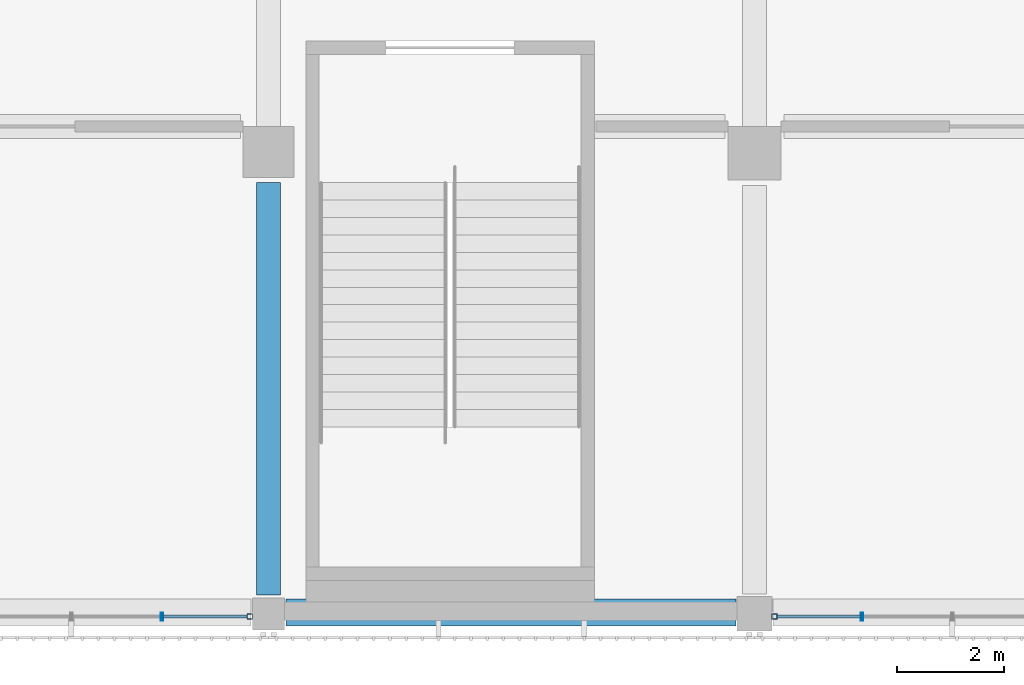
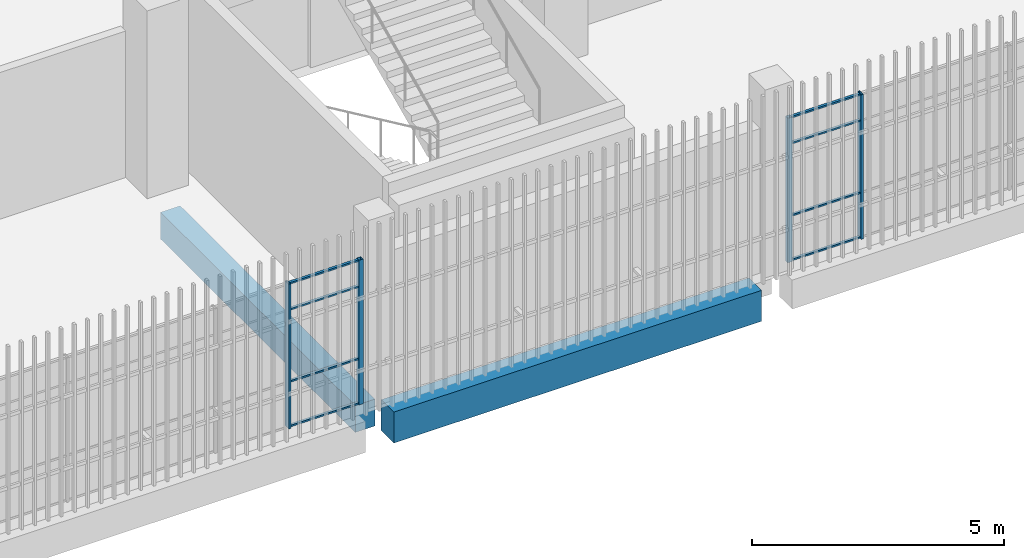
# One storey, part 19 of 126: 12 members, 2 beams, 2 elements without a shape of their own.
"""IFC4 building model written with IfcOpenShell, lengths in metres."""

from ifc_helpers import new_model, si_unit, direction, frame, origin, origin_2d, place, context, subcontext, project, spatial, rectangle, hollow_rectangle, extrude, material, layer, layer_set, material_profile, profile_set, type_object, element, aggregate, save


model = new_model("IFC4")

# Units and contexts
model_context = context("Model", 3, precision=1e-05, world=origin(), true_north=direction((0.0, 1.0)))
body_context = subcontext(model_context, "Body", "Model", "MODEL_VIEW")
ifc_project = project(units=[si_unit("LENGTHUNIT", "METRE"), si_unit("AREAUNIT", "SQUARE_METRE"), si_unit("VOLUMEUNIT", "CUBIC_METRE"), si_unit("PLANEANGLEUNIT", "RADIAN"), si_unit("MASSUNIT", "GRAM", prefix="KILO")], contexts=[model_context])

# Site, building, storey
site_placement = place(None, origin())
site = spatial("IfcSite", under=ifc_project, at=site_placement, CompositionType="ELEMENT")
building_placement = place(site_placement, origin())
building = spatial("IfcBuilding", under=site, at=building_placement, Name="Shirokan Park Arena", CompositionType="ELEMENT")
storey_placement = place(building_placement, frame((0.0, 0.0, 6.3701171875)))
storey = spatial("IfcBuildingStorey", under=building, at=storey_placement, Name="L01", CompositionType="ELEMENT", Elevation=6.3701171875)

# Curtain wall, member
ifc_material_1 = material(Name="Steel and glass curtain wall", Category="steel")
ifc_layer = layer(ifc_material_1, 0.14990234375)
ifc_layer_set = layer_set([ifc_layer], Name="Steel and glass curtain wall 150 mm")
curtain_wall_type = type_object("IfcCurtainWallType", Name="Curtain wall exposed bay 150", PredefinedType="NOTDEFINED", material=ifc_layer_set)
curtain_wall_1_placement = place(storey_placement, origin())
curtain_wall_1 = element("IfcCurtainWall", 1, at=curtain_wall_1_placement, inside=storey, type_object=curtain_wall_type, Name="Curtain wall south bay 9 L01", PredefinedType="NOTDEFINED")
ifc_material_2 = material(Name="Steel S355", Category="steel")
ifc_material_profile_1 = material_profile(ifc_material_2, hollow_rectangle(XDim=0.10009765625, YDim=0.10009765625, WallThickness=0.006103515625, at=origin_2d()), Name="RHS 100x100x6")
ifc_profile_set_1 = profile_set([ifc_material_profile_1], Name="Steel S355")
member_type_1 = type_object("IfcMemberType", Name="Mullion RHS 100x100x6", PredefinedType="MULLION", material=ifc_profile_set_1)
member_1_placement = place(storey_placement, frame((81.550048828125, -0.074951171875, 0.0), z_axis=(0.0, 0.0, 1.0), x_axis=(0.0, 1.0, 0.0)))
member_1 = element("IfcMember", 2, at=member_1_placement, type_object=member_type_1, Name="CW1 mullion 6", PredefinedType="MULLION", context=body_context, shape_type="SweptSolid", body=[
    extrude(hollow_rectangle(XDim=0.10009765625, YDim=0.10009765625, WallThickness=0.006103515625, at=origin_2d()), origin(), (0.0, 0.0, 1.0), 3.5),
])

curtain_wall_2_placement = place(storey_placement, origin())
curtain_wall_2 = element("IfcCurtainWall", 3, at=curtain_wall_2_placement, inside=storey, type_object=curtain_wall_type, Name="Curtain wall south bay 11 L01", PredefinedType="NOTDEFINED")
member_2_placement = place(storey_placement, frame((91.375, -0.074951171875, 0.0), z_axis=(0.0, 0.0, 1.0), x_axis=(0.0, 1.0, 0.0)))
member_2 = element("IfcMember", 4, at=member_2_placement, type_object=member_type_1, Name="CW1 mullion 1", PredefinedType="MULLION", context=body_context, shape_type="SweptSolid", body=[
    extrude(hollow_rectangle(XDim=0.10009765625, YDim=0.10009765625, WallThickness=0.006103515625, at=origin_2d()), origin(), (0.0, 0.0, 1.0), 3.5),
])

# Member
ifc_material_profile_2 = material_profile(ifc_material_2, hollow_rectangle(XDim=0.14990234375, YDim=0.050048828125, WallThickness=0.006103515625, at=origin_2d()), Name="RHS 150x50x6")
ifc_profile_set_2 = profile_set([ifc_material_profile_2], Name="Steel S355")
member_type_2 = type_object("IfcMemberType", Name="Mullion RHS 150x50x6", PredefinedType="MULLION", material=ifc_profile_set_2)
member_3_placement = place(storey_placement, frame((79.905029296875, -0.074951171875, 0.0), z_axis=(0.0, 0.0, 1.0), x_axis=(0.0, 1.0, 0.0)))
member_3 = element("IfcMember", 5, at=member_3_placement, type_object=member_type_2, Name="CW1 mullion 5", PredefinedType="MULLION", context=body_context, shape_type="SweptSolid", body=[
    extrude(hollow_rectangle(XDim=0.14990234375, YDim=0.050048828125, WallThickness=0.006103515625, at=origin_2d()), origin(), (0.0, 0.0, 1.0), 3.5),
])

member_4_placement = place(storey_placement, frame((93.014892578125, -0.074951171875, 0.0), z_axis=(0.0, 0.0, 1.0), x_axis=(0.0, 1.0, 0.0)))
member_4 = element("IfcMember", 6, at=member_4_placement, type_object=member_type_2, Name="CW1 mullion 2", PredefinedType="MULLION", context=body_context, shape_type="SweptSolid", body=[
    extrude(hollow_rectangle(XDim=0.14990234375, YDim=0.050048828125, WallThickness=0.006103515625, at=origin_2d()), origin(), (0.0, 0.0, 1.0), 3.5),
])

# Beams
ifc_material_3 = material(Name="Concrete C35", Category="concrete")
ifc_material_profile_3 = material_profile(ifc_material_3, rectangle(XDim=0.449951171875, YDim=0.64990234375, at=origin_2d()), Name="450x650")
ifc_profile_set_3 = profile_set([ifc_material_profile_3], Name="Concrete C35")
beam_type_1 = type_object("IfcBeamType", Name="RC girder 450x650", PredefinedType="BEAM", material=ifc_profile_set_3)
beam_1_placement = place(storey_placement, frame((81.89990234375, 0.3251953125, -0.675048828125), z_axis=(0.0, 1.0, 0.0), x_axis=(-1.0, 0.0, 0.0)))
element("IfcBeam", 7, at=beam_1_placement, inside=storey, type_object=beam_type_1, Name="Girder 10A-10B L01", PredefinedType="BEAM", context=body_context, shape_type="SweptSolid", body=[
    extrude(rectangle(XDim=0.449951171875, YDim=0.64990234375, at=origin_2d()), origin(), (0.0, 0.0, 1.0), 7.724609375),
])
ifc_material_profile_4 = material_profile(ifc_material_3, rectangle(XDim=0.5, YDim=0.75, at=origin_2d()), Name="500x750")
ifc_profile_set_4 = profile_set([ifc_material_profile_4], Name="Concrete C35")
beam_type_2 = type_object("IfcBeamType", Name="RC girder 500x750", PredefinedType="BEAM", material=ifc_profile_set_4)
beam_2_placement = place(storey_placement, frame((82.22509765625, 0.0, -0.72509765625), z_axis=(1.0, 0.0, 0.0), x_axis=(0.0, 1.0, 0.0)))
element("IfcBeam", 8, at=beam_2_placement, inside=storey, type_object=beam_type_2, Name="Girder 10A-11A L01", PredefinedType="BEAM", context=body_context, shape_type="SweptSolid", body=[
    extrude(rectangle(XDim=0.5, YDim=0.75, at=origin_2d()), origin(), (0.0, 0.0, 1.0), 8.4248046875),
])

# Member
ifc_material_profile_5 = material_profile(ifc_material_2, hollow_rectangle(XDim=0.06005859375, YDim=0.0400390625, WallThickness=0.00390625, at=origin_2d()), Name="RHS 60x40x4")
ifc_profile_set_5 = profile_set([ifc_material_profile_5], Name="Steel S355")
member_type_3 = type_object("IfcMemberType", Name="Transom RHS 60x40x4", PredefinedType="MULLION", material=ifc_profile_set_5)
member_5_placement = place(storey_placement, frame((79.929931640625, -0.074951171875, 0.019775390625), z_axis=(1.0, 0.0, 0.0), x_axis=(0.0, 1.0, 0.0)))
member_5 = element("IfcMember", 9, at=member_5_placement, type_object=member_type_3, Name="CW1 transom 5.1", PredefinedType="MULLION", context=body_context, shape_type="SweptSolid", body=[
    extrude(hollow_rectangle(XDim=0.06005859375, YDim=0.0400390625, WallThickness=0.00390625, at=origin_2d()), origin(), (0.0, 0.0, 1.0), 1.570068359375),
])

member_6_placement = place(storey_placement, frame((79.929931640625, -0.074951171875, 1.099853515625), z_axis=(1.0, 0.0, 0.0), x_axis=(0.0, 1.0, 0.0)))
member_6 = element("IfcMember", 10, at=member_6_placement, type_object=member_type_3, Name="CW1 transom 5.2", PredefinedType="MULLION", context=body_context, shape_type="SweptSolid", body=[
    extrude(hollow_rectangle(XDim=0.06005859375, YDim=0.0400390625, WallThickness=0.00390625, at=origin_2d()), origin(), (0.0, 0.0, 1.0), 1.570068359375),
])

member_7_placement = place(storey_placement, frame((79.929931640625, -0.074951171875, 2.849853515625), z_axis=(1.0, 0.0, 0.0), x_axis=(0.0, 1.0, 0.0)))
member_7 = element("IfcMember", 11, at=member_7_placement, type_object=member_type_3, Name="CW1 transom 5.3", PredefinedType="MULLION", context=body_context, shape_type="SweptSolid", body=[
    extrude(hollow_rectangle(XDim=0.06005859375, YDim=0.0400390625, WallThickness=0.00390625, at=origin_2d()), origin(), (0.0, 0.0, 1.0), 1.570068359375),
])

member_8_placement = place(storey_placement, frame((79.929931640625, -0.074951171875, 3.47998046875), z_axis=(1.0, 0.0, 0.0), x_axis=(0.0, 1.0, 0.0)))
member_8 = element("IfcMember", 12, at=member_8_placement, type_object=member_type_3, Name="CW1 transom 5.4", PredefinedType="MULLION", context=body_context, shape_type="SweptSolid", body=[
    extrude(hollow_rectangle(XDim=0.06005859375, YDim=0.0400390625, WallThickness=0.00390625, at=origin_2d()), origin(), (0.0, 0.0, 1.0), 1.570068359375),
])

aggregate(curtain_wall_1, [member_3, member_1, member_5, member_6, member_7, member_8])

member_9_placement = place(storey_placement, frame((91.425048828125, -0.074951171875, 0.019775390625), z_axis=(1.0, 0.0, 0.0), x_axis=(0.0, 1.0, 0.0)))
member_9 = element("IfcMember", 13, at=member_9_placement, type_object=member_type_3, Name="CW1 transom 1.1", PredefinedType="MULLION", context=body_context, shape_type="SweptSolid", body=[
    extrude(hollow_rectangle(XDim=0.06005859375, YDim=0.0400390625, WallThickness=0.00390625, at=origin_2d()), origin(), (0.0, 0.0, 1.0), 1.56494140625),
])

member_10_placement = place(storey_placement, frame((91.425048828125, -0.074951171875, 1.099853515625), z_axis=(1.0, 0.0, 0.0), x_axis=(0.0, 1.0, 0.0)))
member_10 = element("IfcMember", 14, at=member_10_placement, type_object=member_type_3, Name="CW1 transom 1.2", PredefinedType="MULLION", context=body_context, shape_type="SweptSolid", body=[
    extrude(hollow_rectangle(XDim=0.06005859375, YDim=0.0400390625, WallThickness=0.00390625, at=origin_2d()), origin(), (0.0, 0.0, 1.0), 1.56494140625),
])

member_11_placement = place(storey_placement, frame((91.425048828125, -0.074951171875, 2.849853515625), z_axis=(1.0, 0.0, 0.0), x_axis=(0.0, 1.0, 0.0)))
member_11 = element("IfcMember", 15, at=member_11_placement, type_object=member_type_3, Name="CW1 transom 1.3", PredefinedType="MULLION", context=body_context, shape_type="SweptSolid", body=[
    extrude(hollow_rectangle(XDim=0.06005859375, YDim=0.0400390625, WallThickness=0.00390625, at=origin_2d()), origin(), (0.0, 0.0, 1.0), 1.56494140625),
])

member_12_placement = place(storey_placement, frame((91.425048828125, -0.074951171875, 3.47998046875), z_axis=(1.0, 0.0, 0.0), x_axis=(0.0, 1.0, 0.0)))
member_12 = element("IfcMember", 16, at=member_12_placement, type_object=member_type_3, Name="CW1 transom 1.4", PredefinedType="MULLION", context=body_context, shape_type="SweptSolid", body=[
    extrude(hollow_rectangle(XDim=0.06005859375, YDim=0.0400390625, WallThickness=0.00390625, at=origin_2d()), origin(), (0.0, 0.0, 1.0), 1.56494140625),
])

aggregate(curtain_wall_2, [member_2, member_4, member_9, member_10, member_11, member_12])

save(model, "model.ifc")
